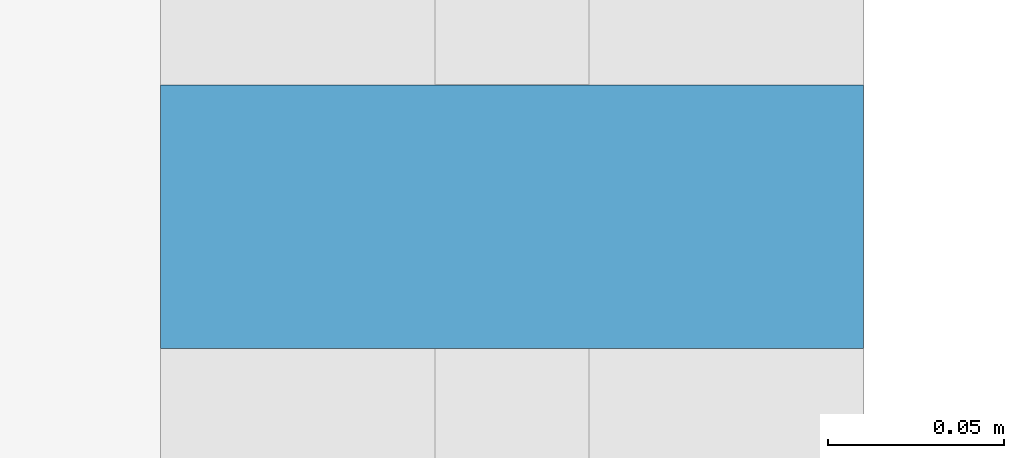
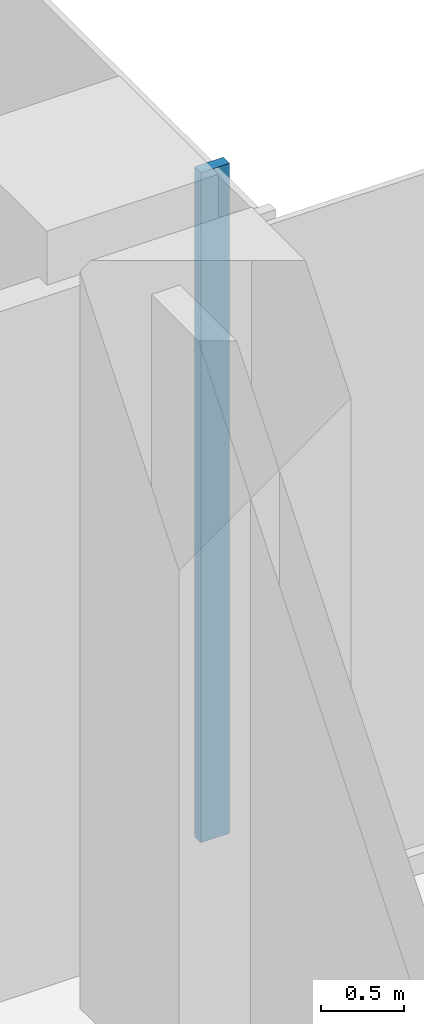
# One storey, part 4 of 30: 1 member, 1 element without a shape of its own.
"""IFC4 building model written with IfcOpenShell, lengths in metres."""

from ifc_helpers import new_model, si_unit, direction, frame, origin, origin_2d, place, context, subcontext, project, spatial, rectangle, extrude, source, transform, mapped, material, material_profile, profile_set, type_object, element, aggregate, save


model = new_model("IFC4")

# Units and contexts
model_context = context("Model", 3, precision=1e-05, world=origin(), true_north=direction((0.0, 1.0)))
body_context = subcontext(model_context, "Body", "Model", "MODEL_VIEW")
ifc_project = project(units=[si_unit("LENGTHUNIT", "METRE"), si_unit("AREAUNIT", "SQUARE_METRE"), si_unit("VOLUMEUNIT", "CUBIC_METRE"), si_unit("PLANEANGLEUNIT", "RADIAN"), si_unit("MASSUNIT", "GRAM", prefix="KILO")], contexts=[model_context])

# Site, building, storey
site_placement = place(None, origin())
site = spatial("IfcSite", under=ifc_project, at=site_placement, CompositionType="ELEMENT")
building_placement = place(site_placement, origin())
building = spatial("IfcBuilding", under=site, at=building_placement, Name="Kemantara Hotel Tower", CompositionType="ELEMENT")
storey_placement = place(building_placement, frame((0.0, 0.0, 7.5)))
storey = spatial("IfcBuildingStorey", under=building, at=storey_placement, Name="L01", CompositionType="ELEMENT", Elevation=7.5)

# Curtain wall, member
ifc_material_1 = material(Name="Laminated tinted insulated glass 44 mm", Category="glass")
curtain_wall_type = type_object("IfcCurtainWallType", Name="PODIUM GLASS CURTAIN WALL", PredefinedType="USERDEFINED", material=ifc_material_1)
curtain_wall_placement = place(storey_placement, origin())
curtain_wall = element("IfcCurtainWall", 1, at=curtain_wall_placement, inside=storey, type_object=curtain_wall_type, Name="CW1 L01 POD-R08-1", ObjectType="PODIUM GLASS CURTAIN WALL", PredefinedType="USERDEFINED")
ifc_material_2 = material(Name="Aluminium 6063-T6 bronze anodised", Category="aluminium")
ifc_material_profile = material_profile(ifc_material_2, rectangle(XDim=0.199951171875, YDim=0.074951171875, at=origin_2d()), Name="PODIUM GLASS CURTAIN WALL MULLION")
ifc_profile_set = profile_set([ifc_material_profile], Name="Aluminium 6063-T6 bronze anodised")
member_type = type_object("IfcMemberType", Name="PODIUM GLASS CURTAIN WALL MULLION", PredefinedType="MULLION", material=ifc_profile_set)
shared_shape = source(origin(), body_context, "Body", "SweptSolid", [
    extrude(rectangle(XDim=0.199951171875, YDim=0.074951171875, at=origin_2d()), origin(), (0.0, 0.0, 1.0), 4.9501953125),
])
member_placement = place(storey_placement, frame((63.5, 27.39990234375, 0.14990234375), z_axis=(0.0, 0.0, 1.0), x_axis=(-1.0, 0.0, 0.0)))
member = element("IfcMember", 2, at=member_placement, type_object=member_type, Name="CW1 mullion POD-R08-1.2", PredefinedType="MULLION", context=body_context, shape_type="MappedRepresentation", body=[
    mapped(shared_shape, transform((0.0, 0.0, 0.0))),
])
aggregate(curtain_wall, [member])

save(model, "model.ifc")
